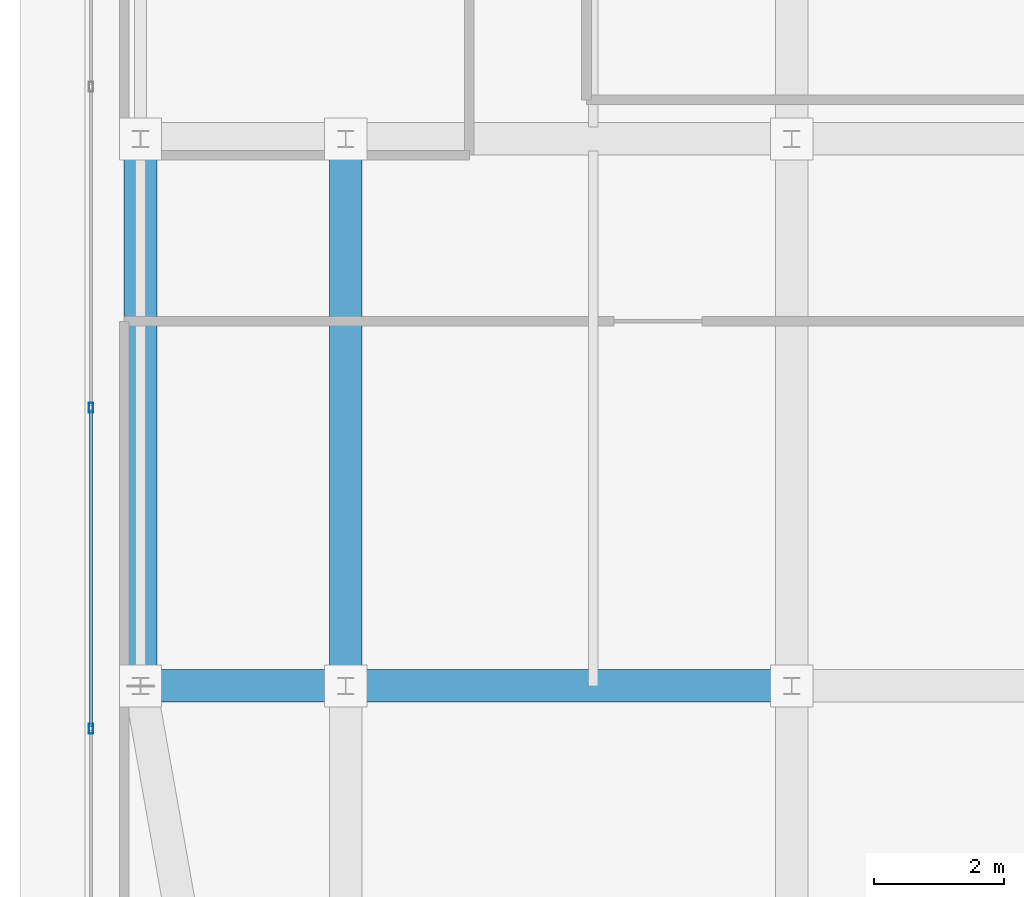
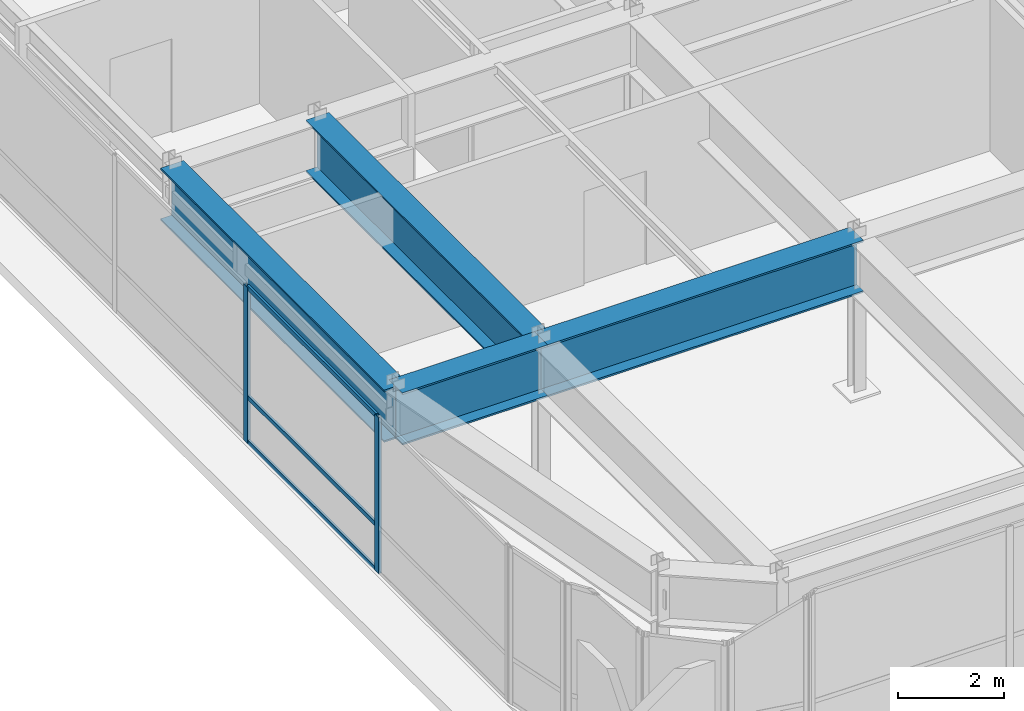
# One storey, part 8 of 35: 5 members, 4 beams, 1 element without a shape of its own.
"""IFC4 building model written with IfcOpenShell, lengths in metres."""

import ifcopenshell
import ifcopenshell.guid

model = None  # the IFC model being written
_history = None  # IfcOwnerHistory: only IFC2X3 demands one
_inside = {}  # id of a spatial element -> (the spatial element, [elements in it])
_under = {}  # id of a project, library or spatial element -> (it, [spatial elements below it])
_declared = {}  # id of a project -> (the project, [libraries it declares])
_typed = {}  # id of a type object -> (the type object, [elements of that type])
_made_of = {}  # id of a material, layer set ... -> (it, [elements and type objects made of it])


def new_model(schema):
    """Start an empty IFC model of exactly this schema.

    Asked for "IFC4X3", IfcOpenShell would pick the latest addendum, in which some entities
    have other attributes; the version numbers below select the first issue.
    IFC2X3 requires an IfcOwnerHistory on every rooted entity: one is made here for all.
    """
    global model, _history
    if schema == "IFC4X3":
        model = ifcopenshell.file(schema_version=(4, 3, 0, 0))
    else:
        model = ifcopenshell.file(schema=schema)
    _inside.clear()
    _under.clear()
    _declared.clear()
    _typed.clear()
    _made_of.clear()
    _history = None
    if model.schema == "IFC2X3":
        org = make("IfcOrganization", Name="unknown")
        user = make(
            "IfcPersonAndOrganization",
            ThePerson=make("IfcPerson", FamilyName="unknown"),
            TheOrganization=org,
        )
        app = make(
            "IfcApplication",
            ApplicationDeveloper=org,
            Version="unknown",
            ApplicationFullName="unknown",
            ApplicationIdentifier="unknown",
        )
        _history = make(
            "IfcOwnerHistory",
            OwningUser=user,
            OwningApplication=app,
            ChangeAction="ADDED",
            CreationDate=0,
        )
    return model


def make(cls, **values):
    """One entity of the class cls with the attributes given. An attribute that is None is left unset."""
    return model.create_entity(
        cls, **{name: value for name, value in values.items() if value is not None}
    )


def rooted(cls, **values):
    """An entity with a GlobalId (a new one), such as an element, a storey or a relation."""
    return make(cls, GlobalId=ifcopenshell.guid.new(), OwnerHistory=_history, **values)


def si_unit(unit_type, name, prefix=None):
    """IfcSIUnit, for example si_unit("LENGTHUNIT", "METRE", prefix="MILLI")."""
    return make("IfcSIUnit", UnitType=unit_type, Prefix=prefix, Name=name)


def assignment(units):
    """IfcUnitAssignment: the units of a project."""
    return None if units is None else make("IfcUnitAssignment", Units=units)


def point(xyz):
    """IfcCartesianPoint."""
    return None if xyz is None else make("IfcCartesianPoint", Coordinates=xyz)


def direction(xyz):
    """IfcDirection."""
    return None if xyz is None else make("IfcDirection", DirectionRatios=xyz)


def frame(location, z_axis=None, x_axis=None):
    """IfcAxis2Placement3D, a coordinate frame: its origin and axes. An axis left out is left unset."""
    return make(
        "IfcAxis2Placement3D",
        Location=point(location),
        Axis=direction(z_axis),
        RefDirection=direction(x_axis),
    )


def frame_2d(location, x_axis=None):
    """IfcAxis2Placement2D, a coordinate frame in the plane: its origin and x axis."""
    return make(
        "IfcAxis2Placement2D", Location=point(location), RefDirection=direction(x_axis)
    )


def origin():
    """The frame at (0, 0, 0) with its axes left unset."""
    return frame((0.0, 0.0, 0.0))


def origin_2d():
    """The frame at (0, 0) in the plane with its x axis left unset."""
    return frame_2d((0.0, 0.0))


def place(relative_to, where):
    """IfcLocalPlacement: puts the frame where relative to a parent placement (None: the world)."""
    return make(
        "IfcLocalPlacement", PlacementRelTo=relative_to, RelativePlacement=where
    )


def context(
    kind, dimensions, precision=None, world=None, true_north=None, identifier=None
):
    """IfcGeometricRepresentationContext, for example the 3D "Model" context."""
    return make(
        "IfcGeometricRepresentationContext",
        ContextIdentifier=identifier,
        ContextType=kind,
        CoordinateSpaceDimension=dimensions,
        Precision=precision,
        WorldCoordinateSystem=world,
        TrueNorth=true_north,
    )


def subcontext(parent, identifier, kind, view, scale=None):
    """IfcGeometricRepresentationSubContext, for example "Body" below "Model"."""
    return make(
        "IfcGeometricRepresentationSubContext",
        ContextIdentifier=identifier,
        ContextType=kind,
        ParentContext=parent,
        TargetScale=scale,
        TargetView=view,
    )


def project(units=None, contexts=None):
    """IfcProject with its units and contexts."""
    return rooted(
        "IfcProject",
        Name="project",
        RepresentationContexts=contexts,
        UnitsInContext=assignment(units),
    )


def spatial(cls, under=None, at=None, **own):
    """A site, building, storey or space (cls), placed at a placement, below another one or the project."""
    s = rooted(cls, ObjectPlacement=at, **own)
    if under is not None:
        _under.setdefault(under.id(), (under, []))[1].append(s)
    return s


def profile(cls, at=None, kind="AREA", **sizes):
    """A parametric profile (cls). Its sizes go by their IFC names, for example OverallWidth=200.0."""
    return make(cls, ProfileType=kind, Position=at, **sizes)


def hollow_rectangle(**sizes):
    """IfcRectangleHollowProfileDef."""
    return profile("IfcRectangleHollowProfileDef", **sizes)


def i_section(**sizes):
    """IfcIShapeProfileDef."""
    return profile("IfcIShapeProfileDef", **sizes)


def extrude(swept, where, along, depth):
    """IfcExtrudedAreaSolid: the profile swept, set in the frame where, extruded along a direction by depth."""
    return make(
        "IfcExtrudedAreaSolid",
        SweptArea=swept,
        Position=where,
        ExtrudedDirection=direction(along),
        Depth=depth,
    )


def shape(context_of_items, identifier, shape_type, items):
    """IfcShapeRepresentation: the items that make up one representation, for example the "Body"."""
    return make(
        "IfcShapeRepresentation",
        ContextOfItems=context_of_items,
        RepresentationIdentifier=identifier,
        RepresentationType=shape_type,
        Items=items,
    )


def source(mapping_origin, context_of_items, identifier, shape_type, items):
    """IfcRepresentationMap: a shape defined once, which mapped items show again and again."""
    return make(
        "IfcRepresentationMap",
        MappingOrigin=mapping_origin,
        MappedRepresentation=shape(context_of_items, identifier, shape_type, items),
    )


def transform(
    local_origin,
    x_axis=None,
    y_axis=None,
    z_axis=None,
    scale=None,
    scale2=None,
    scale3=None,
    uniform=True,
):
    """IfcCartesianTransformationOperator3D, or its non-uniform kind. x_axis, y_axis, z_axis: its Axis1, 2, 3."""
    if uniform:
        return make(
            "IfcCartesianTransformationOperator3D",
            Axis1=direction(x_axis),
            Axis2=direction(y_axis),
            LocalOrigin=point(local_origin),
            Scale=scale,
            Axis3=direction(z_axis),
        )
    return make(
        "IfcCartesianTransformationOperator3DnonUniform",
        Axis1=direction(x_axis),
        Axis2=direction(y_axis),
        LocalOrigin=point(local_origin),
        Scale=scale,
        Axis3=direction(z_axis),
        Scale2=scale2,
        Scale3=scale3,
    )


def mapped(mapping_source, mapping_target):
    """IfcMappedItem: shows the shape of a source again, moved by a transform."""
    return make(
        "IfcMappedItem", MappingSource=mapping_source, MappingTarget=mapping_target
    )


def material(Name=None, Category=None):
    """IfcMaterial."""
    return make("IfcMaterial", Name=Name, Category=Category)


def layer(
    of_material, thickness, ventilated=None, Name=None, Category=None, Priority=None
):
    """IfcMaterialLayer: one layer of a wall or slab, of a material (None: an air gap)."""
    return make(
        "IfcMaterialLayer",
        Material=of_material,
        LayerThickness=thickness,
        IsVentilated=ventilated,
        Name=Name,
        Category=Category,
        Priority=Priority,
    )


def layer_set(layers, Name=None):
    """IfcMaterialLayerSet."""
    return make("IfcMaterialLayerSet", MaterialLayers=layers, LayerSetName=Name)


def material_profile(
    of_material, cross_section, Name=None, Category=None, Priority=None
):
    """IfcMaterialProfile: a cross section and its material."""
    return make(
        "IfcMaterialProfile",
        Name=Name,
        Material=of_material,
        Profile=cross_section,
        Priority=Priority,
        Category=Category,
    )


def profile_set(profiles, Name=None, composite=None):
    """IfcMaterialProfileSet."""
    return make(
        "IfcMaterialProfileSet",
        Name=Name,
        MaterialProfiles=profiles,
        CompositeProfile=composite,
    )


def made_of(thing, what):
    """Note that an element or type object is made of a material, layer set ...; save() writes the relation."""
    if what is not None:
        _made_of.setdefault(what.id(), (what, []))[1].append(thing)
    return thing


def type_object(cls, material=None, **own):
    """A type object (cls), such as IfcWallType, which elements share."""
    return made_of(rooted(cls, **own), material)


def type_shapes(of_type, sources):
    """Give a type object the sources (RepresentationMaps) that its elements show as mapped items."""
    of_type.RepresentationMaps = sources


def element(
    cls,
    number,
    at=None,
    inside=None,
    cuts=None,
    type_object=None,
    material=None,
    context=None,
    identifier="Body",
    shape_type=None,
    held_by="IfcProductDefinitionShape",
    body=None,
    shapes=None,
    **own,
):
    """One element of the class cls, such as IfcWall. Its Tag is "e" and its number.

    at: its placement. inside: the storey or other place that contains it. cuts: it is an
    opening in that element (IfcRelVoidsElement). A single representation is given by context,
    identifier, shape_type and body (its items); several are given by shapes. held_by: the class
    of the entity that holds the representations. save() writes the other relations.
    """
    e = rooted(cls, Tag="e%d" % number, ObjectPlacement=at, **own)
    if body is not None:
        shapes = [shape(context, identifier, shape_type, body)]
    if shapes is not None:
        e.Representation = make(held_by, Representations=shapes)
    if inside is not None:
        _inside.setdefault(inside.id(), (inside, []))[1].append(e)
    if cuts is not None:
        rooted(
            "IfcRelVoidsElement", RelatingBuildingElement=cuts, RelatedOpeningElement=e
        )
    if type_object is not None:
        _typed.setdefault(type_object.id(), (type_object, []))[1].append(e)
    return made_of(e, material)


def aggregate(whole, parts):
    """IfcRelAggregates: a whole, such as a stair, and the parts it consists of."""
    return rooted("IfcRelAggregates", RelatingObject=whole, RelatedObjects=parts)


def save(model, path):
    """Write the relations noted so far, then the file.

    IfcRelAggregates (storeys below a building ...), IfcRelContainedInSpatialStructure (elements
    in a storey), IfcRelDefinesByType, IfcRelAssociatesMaterial and IfcRelDeclares: one each for
    every whole, place, type object, material and project.
    """
    for whole, parts in _under.values():
        aggregate(whole, parts)
    for where, things in _inside.values():
        rooted(
            "IfcRelContainedInSpatialStructure",
            RelatedElements=things,
            RelatingStructure=where,
        )
    for kind, things in _typed.values():
        rooted("IfcRelDefinesByType", RelatedObjects=things, RelatingType=kind)
    for what, things in _made_of.values():
        rooted("IfcRelAssociatesMaterial", RelatedObjects=things, RelatingMaterial=what)
    for by, libraries in _declared.values():
        rooted("IfcRelDeclares", RelatingContext=by, RelatedDefinitions=libraries)
    model.write(path)


model = new_model("IFC4")

# Units and contexts
model_context = context("Model", 3, precision=1e-05, world=origin(), true_north=direction((0.0, 1.0)))
body_context = subcontext(model_context, "Body", "Model", "MODEL_VIEW")
ifc_project = project(units=[si_unit("LENGTHUNIT", "METRE"), si_unit("AREAUNIT", "SQUARE_METRE"), si_unit("VOLUMEUNIT", "CUBIC_METRE"), si_unit("PLANEANGLEUNIT", "RADIAN"), si_unit("MASSUNIT", "GRAM", prefix="KILO")], contexts=[model_context])

# Site, building, storey
site_placement = place(None, origin())
site = spatial("IfcSite", under=ifc_project, at=site_placement, CompositionType="ELEMENT")
building_placement = place(site_placement, origin())
building = spatial("IfcBuilding", under=site, at=building_placement, Name="Tolvann Quenvar Hotel", CompositionType="ELEMENT")
storey_placement = place(building_placement, frame((0.0, 0.0, 290.949951171875)))
storey = spatial("IfcBuildingStorey", under=building, at=storey_placement, Name="L77", CompositionType="ELEMENT", Elevation=290.949951171875)

# Beams
ifc_material_1 = material(Name="Steel Grade 350", Category="steel")
ifc_material_profile_1 = material_profile(ifc_material_1, i_section(OverallWidth=0.5, OverallDepth=1.199951171875, WebThickness=0.01611328125, FlangeThickness=0.0400390625, at=origin_2d()), Name="1200WB455")
ifc_profile_set_1 = profile_set([ifc_material_profile_1], Name="Steel Grade 350")
beam_type = type_object("IfcBeamType", Name="BM_TG_1200WB455", PredefinedType="USERDEFINED", material=ifc_profile_set_1)
shared_shape_1 = source(origin(), body_context, "Body", "SweptSolid", [
    extrude(i_section(OverallWidth=0.5, OverallDepth=1.199951171875, WebThickness=0.01611328125, FlangeThickness=0.0400390625, at=origin_2d()), origin(), (0.0, 0.0, 1.0), 8.39990234375),
])
for number, where, z_axis, x_axis, name in (
    (1, (4.449951171875, 16.0, 2.97998046875), (0.0, 1.0, 0.0), (-1.0, 0.0, 0.0), "BM-L77-NS-B4-B5"),
    (2, (7.60009765625, 16.0, 2.97998046875), (0.0, 1.0, 0.0), (-1.0, 0.0, 0.0), "BM-L77-NS-C4-C5"),
):
    element("IfcBeam", number, at=place(storey_placement, frame(where, z_axis=z_axis, x_axis=x_axis)), inside=storey, type_object=beam_type, Name=name, ObjectType="TRANSFER GIRDER", PredefinedType="USERDEFINED", context=body_context, shape_type="MappedRepresentation", body=[
        mapped(shared_shape_1, transform((0.0, 0.0, 0.0), x_axis=(1.0, 0.0, 0.0), y_axis=(0.0, 1.0, 0.0), z_axis=(0.0, 0.0, 1.0), scale=1.0)),
    ])
shared_shape_2 = source(origin(), body_context, "Body", "SweptSolid", [
    extrude(i_section(OverallWidth=0.5, OverallDepth=1.199951171875, WebThickness=0.01611328125, FlangeThickness=0.0400390625, at=origin_2d()), origin(), (0.0, 0.0, 1.0), 6.849853515625),
])
beam_1_placement = place(storey_placement, frame((7.60009765625, 16.0, 2.97998046875), z_axis=(1.0, 0.0, 0.0), x_axis=(0.0, 1.0, 0.0)))
element("IfcBeam", 3, at=beam_1_placement, inside=storey, type_object=beam_type, Name="BM-L77-EW-4-C4-D4", ObjectType="TRANSFER GIRDER", PredefinedType="USERDEFINED", context=body_context, shape_type="MappedRepresentation", body=[
    mapped(shared_shape_2, transform((0.0, 0.0, 0.0), x_axis=(1.0, 0.0, 0.0), y_axis=(0.0, 1.0, 0.0), z_axis=(0.0, 0.0, 1.0), scale=1.0)),
])
shared_shape_3 = source(origin(), body_context, "Body", "SweptSolid", [
    extrude(i_section(OverallWidth=0.5, OverallDepth=1.199951171875, WebThickness=0.01611328125, FlangeThickness=0.0400390625, at=origin_2d()), origin(), (0.0, 0.0, 1.0), 3.150146484375),
])
type_shapes(beam_type, [shared_shape_1, shared_shape_2, shared_shape_3])
beam_2_placement = place(storey_placement, frame((4.449951171875, 16.0, 2.97998046875), z_axis=(1.0, 0.0, 0.0), x_axis=(0.0, 1.0, 0.0)))
element("IfcBeam", 4, at=beam_2_placement, inside=storey, type_object=beam_type, Name="BM-L77-EW-4-B4-C4", ObjectType="TRANSFER GIRDER", PredefinedType="USERDEFINED", context=body_context, shape_type="MappedRepresentation", body=[
    mapped(shared_shape_3, transform((0.0, 0.0, 0.0), x_axis=(1.0, 0.0, 0.0), y_axis=(0.0, 1.0, 0.0), z_axis=(0.0, 0.0, 1.0), scale=1.0)),
])

# Curtain wall, members
ifc_material_2 = material(Name="Thermally broken anodised architectural aluminium 6063-T6 and laminated low-E glass", Category="aluminium")
ifc_layer = layer(ifc_material_2, 0.179931640625)
ifc_layer_set = layer_set([ifc_layer], Name="Thermally broken anodised architectural aluminium 6063-T6 and laminated low-E glass")
curtain_wall_type = type_object("IfcCurtainWallType", Name="CW_SYS_LANT_06", PredefinedType="USERDEFINED", material=ifc_layer_set)
curtain_wall_placement = place(storey_placement, origin())
curtain_wall = element("IfcCurtainWall", 5, at=curtain_wall_placement, inside=storey, type_object=curtain_wall_type, Name="Curtain Wall CW-LANT-06 (CWR-L77-E19)", ObjectType="UNITISED CURTAIN WALL", PredefinedType="USERDEFINED")
ifc_material_3 = material(Name="Anodised architectural aluminium 6063-T6 framing", Category="aluminium")
ifc_material_profile_2 = material_profile(ifc_material_3, hollow_rectangle(XDim=0.06494140625, YDim=0.14990234375, WallThickness=0.00390625, at=origin_2d()), Name="150x65x4RHS")
ifc_profile_set_2 = profile_set([ifc_material_profile_2], Name="Anodised architectural aluminium 6063-T6 framing")
member_type_1 = type_object("IfcMemberType", Name="CW_MULL_150x65", PredefinedType="MULLION", material=ifc_profile_set_2)
shared_shape_4 = source(origin(), body_context, "Body", "SweptSolid", [
    extrude(hollow_rectangle(XDim=0.06494140625, YDim=0.14990234375, WallThickness=0.00390625, at=origin_2d()), origin(), (0.0, 0.0, 1.0), 3.580078125),
])
type_shapes(member_type_1, [shared_shape_4])
member_1_placement = place(storey_placement, frame((3.68994140625, 20.2724609375, 0.0), z_axis=(0.0, 0.0, 1.0), x_axis=(1.0, 0.0, 0.0)))
member_1 = element("IfcMember", 6, at=member_1_placement, type_object=member_type_1, Name="CW-LANT-06 mullion 5", PredefinedType="MULLION", context=body_context, shape_type="MappedRepresentation", body=[
    mapped(shared_shape_4, transform((0.0, 0.0, 0.0), x_axis=(1.0, 0.0, 0.0), y_axis=(0.0, 1.0, 0.0), z_axis=(0.0, 0.0, 1.0), scale=1.0)),
])
member_2_placement = place(storey_placement, frame((3.68994140625, 15.3447265625, 0.0), z_axis=(0.0, 0.0, 1.0), x_axis=(1.0, 0.0, 0.0)))
member_2 = element("IfcMember", 7, at=member_2_placement, type_object=member_type_1, Name="CW-LANT-06 mullion 6", PredefinedType="MULLION", context=body_context, shape_type="MappedRepresentation", body=[
    mapped(shared_shape_4, transform((0.0, 0.0, 0.0), x_axis=(1.0, 0.0, 0.0), y_axis=(0.0, 1.0, 0.0), z_axis=(0.0, 0.0, 1.0), scale=1.0)),
])
ifc_material_profile_3 = material_profile(ifc_material_3, hollow_rectangle(XDim=0.050048828125, YDim=0.10009765625, WallThickness=0.0029296875, at=origin_2d()), Name="100x50x3RHS")
ifc_profile_set_3 = profile_set([ifc_material_profile_3], Name="Anodised architectural aluminium 6063-T6 framing")
member_type_2 = type_object("IfcMemberType", Name="CW_TRAN_100x50", PredefinedType="USERDEFINED", material=ifc_profile_set_3)
shared_shape_5 = source(origin(), body_context, "Body", "SweptSolid", [
    extrude(hollow_rectangle(XDim=0.050048828125, YDim=0.10009765625, WallThickness=0.0029296875, at=origin_2d()), origin(), (0.0, 0.0, 1.0), 4.86279296875),
])
type_shapes(member_type_2, [shared_shape_5])
member_3_placement = place(storey_placement, frame((3.68994140625, 20.239990234375, 0.025146484375), z_axis=(0.0, -1.0, 0.0), x_axis=(1.0, 0.0, 0.0)))
member_3 = element("IfcMember", 8, at=member_3_placement, type_object=member_type_2, Name="CW-LANT-06 transom 5.1", ObjectType="TRANSOM", PredefinedType="USERDEFINED", context=body_context, shape_type="MappedRepresentation", body=[
    mapped(shared_shape_5, transform((0.0, 0.0, 0.0), x_axis=(1.0, 0.0, 0.0), y_axis=(0.0, 1.0, 0.0), z_axis=(0.0, 0.0, 1.0), scale=1.0)),
])
member_4_placement = place(storey_placement, frame((3.68994140625, 20.239990234375, 1.050048828125), z_axis=(0.0, -1.0, 0.0), x_axis=(1.0, 0.0, 0.0)))
member_4 = element("IfcMember", 9, at=member_4_placement, type_object=member_type_2, Name="CW-LANT-06 transom 5.2", ObjectType="TRANSOM", PredefinedType="USERDEFINED", context=body_context, shape_type="MappedRepresentation", body=[
    mapped(shared_shape_5, transform((0.0, 0.0, 0.0), x_axis=(1.0, 0.0, 0.0), y_axis=(0.0, 1.0, 0.0), z_axis=(0.0, 0.0, 1.0), scale=1.0)),
])
member_5_placement = place(storey_placement, frame((3.68994140625, 20.239990234375, 3.554931640625), z_axis=(0.0, -1.0, 0.0), x_axis=(1.0, 0.0, 0.0)))
member_5 = element("IfcMember", 10, at=member_5_placement, type_object=member_type_2, Name="CW-LANT-06 transom 5.3", ObjectType="TRANSOM", PredefinedType="USERDEFINED", context=body_context, shape_type="MappedRepresentation", body=[
    mapped(shared_shape_5, transform((0.0, 0.0, 0.0), x_axis=(1.0, 0.0, 0.0), y_axis=(0.0, 1.0, 0.0), z_axis=(0.0, 0.0, 1.0), scale=1.0)),
])
aggregate(curtain_wall, [member_1, member_2, member_3, member_4, member_5])

save(model, "model.ifc")
